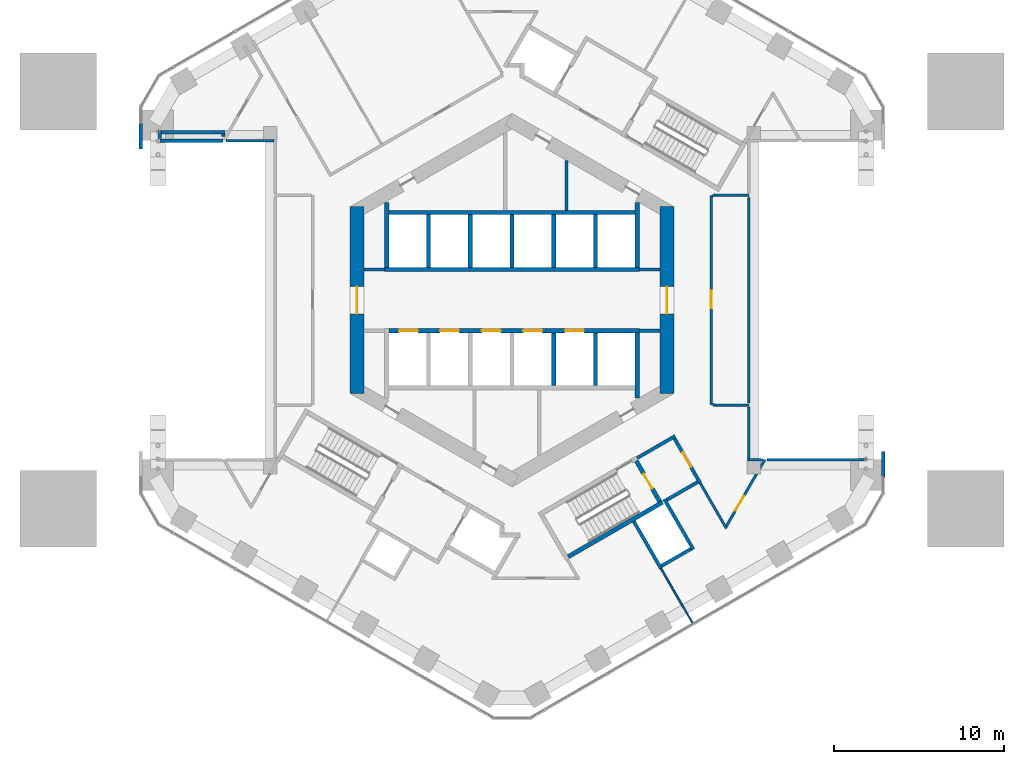
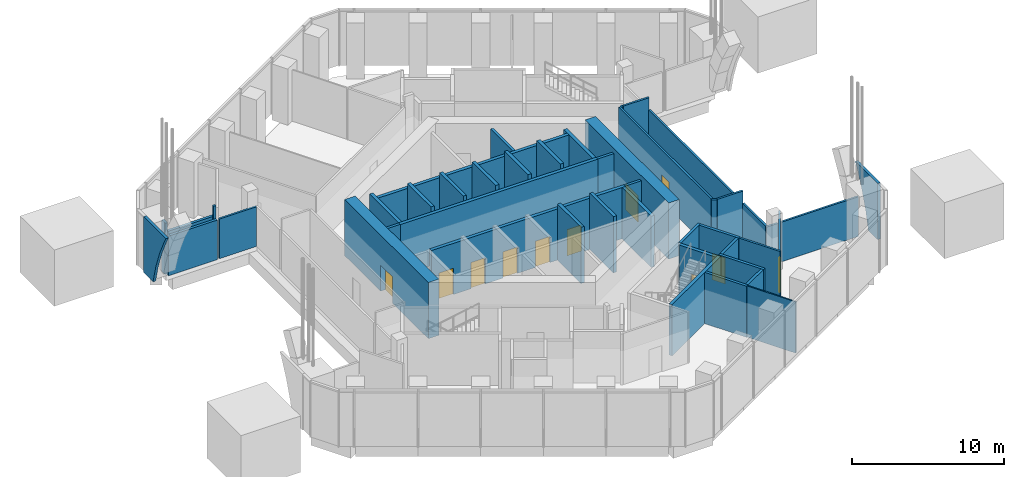
# One storey, part 10 of 14: 46 walls, 11 doors, 11 openings.
"""IFC4 building model written with IfcOpenShell, lengths in metres."""

from ifc_helpers import new_model, si_unit, direction, frame, frame_2d, origin, place, context, subcontext, project, spatial, polyline, rectangle, outline, extrude, material, layer, layer_set, type_object, element, fill, save


model = new_model("IFC4")

# Units and contexts
model_context = context("Model", 3, precision=1e-05, world=origin(), true_north=direction((0.0, 1.0)))
body_context = subcontext(model_context, "Body", "Model", "MODEL_VIEW")
ifc_project = project(units=[si_unit("LENGTHUNIT", "METRE"), si_unit("AREAUNIT", "SQUARE_METRE"), si_unit("VOLUMEUNIT", "CUBIC_METRE"), si_unit("PLANEANGLEUNIT", "RADIAN"), si_unit("MASSUNIT", "GRAM", prefix="KILO")], contexts=[model_context])

# Site, building, storey
site_placement = place(None, origin())
site = spatial("IfcSite", under=ifc_project, at=site_placement, CompositionType="ELEMENT")
building_placement = place(site_placement, origin())
building = spatial("IfcBuilding", under=site, at=building_placement, Name="Ayvan Gate Tower", CompositionType="ELEMENT")
storey_placement = place(building_placement, frame((0.0, 0.0, 7.0)))
storey = spatial("IfcBuildingStorey", under=building, at=storey_placement, Name="L01", CompositionType="ELEMENT", Elevation=7.0)

# Walls
ifc_material_1 = material(Name="Pale metal cladding on insulated wall")
ifc_layer_1 = layer(ifc_material_1, 0.199951171875)
ifc_layer_set_1 = layer_set([ifc_layer_1], Name="Pale metal cladding on insulated wall")
wall_type_1 = type_object("IfcWallType", Name="Arch tympanum wall 200", PredefinedType="SOLIDWALL", material=ifc_layer_set_1)
for number, where, z_axis, x_axis, name in (
    (1, (-21.6845703125, 10.399658203125, 4.5), (1.0, 0.0, 0.0), (0.0, -1.0, 0.0), "Arch tympanum wall L01 face 3"),
    (2, (21.6845703125, -10.399658203125, 4.5), (-1.0, 0.0, 0.0), (0.0, 1.0, 0.0), "Arch tympanum wall L01 face 0"),
):
    element("IfcWall", number, at=place(storey_placement, frame(where, z_axis=z_axis, x_axis=x_axis)), inside=storey, type_object=wall_type_1, Name=name, PredefinedType="SOLIDWALL", context=body_context, shape_type="SweptSolid", body=[
        extrude(outline(polyline([(0.0, 0.0), (2.933837890625, 0.0), (2.737060546875, 0.32421875), (2.091552734375, 1.6728515625), (1.582763671875, 3.078857421875), (1.222900390625, 4.5), (0.0, 4.5), (0.0, 0.0)])), origin(), (0.0, 0.0, -1.0), 0.199951171875),
    ])

# Wall, opening, door
ifc_material_2 = material(Name="Concrete C70/85", Category="concrete")
ifc_layer_2 = layer(ifc_material_2, 0.800048828125)
ifc_layer_set_2 = layer_set([ifc_layer_2], Name="Concrete C70/85")
wall_type_2 = type_object("IfcWallType", Name="Core wall 800 C70/85", PredefinedType="SHEAR", material=ifc_layer_set_2)
wall_1_placement = place(storey_placement, frame((9.10009765625, -5.48486328125, 0.0), z_axis=(0.0, 0.0, 1.0), x_axis=(0.0, 1.0, 0.0)))
wall_1 = element("IfcWall", 3, at=wall_1_placement, inside=storey, type_object=wall_type_2, Name="CORE-L01-0", PredefinedType="SHEAR", context=body_context, shape_type="SweptSolid", body=[
    extrude(rectangle(XDim=10.9697265625, YDim=0.800048828125, at=frame_2d((5.48486328125, 0.0))), origin(), (0.0, 0.0, 1.0), 4.5),
])
opening_1_placement = place(wall_1_placement, frame((4.684814453125, 0.0, 0.0)))
opening_1 = element("IfcOpeningElement", 4, at=opening_1_placement, cuts=wall_1, Name="Opening L01-D33", PredefinedType="OPENING", context=body_context, shape_type="SweptSolid", body=[
    extrude(rectangle(XDim=1.60009765625, YDim=2.10009765625, at=frame_2d((0.800048828125, 1.050048828125))), frame((0.0, 0.409912109375, 0.0), z_axis=(0.0, -1.0, 0.0), x_axis=(1.0, 0.0, 0.0)), (0.0, 0.0, 1.0), 0.820068359375),
])
ifc_material_3 = material(Name="Timber door leaf", Category="wood")
door_type_1 = type_object("IfcDoorType", Name="DT-1600", OperationType="NOTDEFINED", PredefinedType="DOOR", material=ifc_material_3)
door_1_placement = place(opening_1_placement, origin())
door_1 = element("IfcDoor", 5, at=door_1_placement, inside=storey, type_object=door_type_1, Name="CD-L01-33", OperationType="SINGLE_SWING_RIGHT", OverallHeight=2.10009765625, OverallWidth=1.60009765625, PredefinedType="DOOR", context=body_context, shape_type="SweptSolid", body=[
    extrude(rectangle(XDim=1.60009765625, YDim=2.10009765625, at=frame_2d((0.800048828125, 1.050048828125))), frame((0.0, 0.02490234375, 0.0), z_axis=(0.0, -1.0, 0.0), x_axis=(1.0, 0.0, 0.0)), (0.0, 0.0, 1.0), 0.050048828125),
])
fill(opening_1, door_1)

wall_2_placement = place(storey_placement, frame((-9.10009765625, 5.48486328125, 0.0), z_axis=(0.0, 0.0, 1.0), x_axis=(0.0, -1.0, 0.0)))
wall_2 = element("IfcWall", 6, at=wall_2_placement, inside=storey, type_object=wall_type_2, Name="CORE-L01-3", PredefinedType="SHEAR", context=body_context, shape_type="SweptSolid", body=[
    extrude(rectangle(XDim=10.9697265625, YDim=0.800048828125, at=frame_2d((5.48486328125, 0.0))), origin(), (0.0, 0.0, 1.0), 4.5),
])
opening_2_placement = place(wall_2_placement, frame((4.684814453125, 0.0, 0.0)))
opening_2 = element("IfcOpeningElement", 7, at=opening_2_placement, cuts=wall_2, Name="Opening L01-D34", PredefinedType="OPENING", context=body_context, shape_type="SweptSolid", body=[
    extrude(rectangle(XDim=1.60009765625, YDim=2.10009765625, at=frame_2d((0.800048828125, 1.050048828125))), frame((0.0, 0.409912109375, 0.0), z_axis=(0.0, -1.0, 0.0), x_axis=(1.0, 0.0, 0.0)), (0.0, 0.0, 1.0), 0.820068359375),
])
door_2_placement = place(opening_2_placement, origin())
door_2 = element("IfcDoor", 8, at=door_2_placement, inside=storey, type_object=door_type_1, Name="CD-L01-34", OperationType="SINGLE_SWING_LEFT", OverallHeight=2.10009765625, OverallWidth=1.60009765625, PredefinedType="DOOR", context=body_context, shape_type="SweptSolid", body=[
    extrude(rectangle(XDim=1.60009765625, YDim=2.10009765625, at=frame_2d((0.800048828125, 1.050048828125))), frame((0.0, 0.02490234375, 0.0), z_axis=(0.0, -1.0, 0.0), x_axis=(1.0, 0.0, 0.0)), (0.0, 0.0, 1.0), 0.050048828125),
])
fill(opening_2, door_2)

# Walls
ifc_material_4 = material(Name="Plasterboard on steel stud", Category="steel")
ifc_layer_3 = layer(ifc_material_4, 0.14990234375)
ifc_layer_set_3 = layer_set([ifc_layer_3], Name="Plasterboard on steel stud")
wall_type_3 = type_object("IfcWallType", Name="WT-CORR-150", PredefinedType="PARTITIONING", material=ifc_layer_set_3)
wall_3_placement = place(storey_placement, frame((-13.97509765625, 9.367919921875, 0.0), z_axis=(0.0, 0.0, 1.0), x_axis=(-1.0, 0.0, 0.0)))
element("IfcWall", 9, at=wall_3_placement, inside=storey, type_object=wall_type_3, Name="IW-L01-014", PredefinedType="PARTITIONING", context=body_context, shape_type="SweptSolid", body=[
    extrude(rectangle(XDim=2.804931640625, YDim=0.14990234375, at=frame_2d((1.40234375, 0.0))), origin(), (0.0, 0.0, 1.0), 3.175048828125),
])
wall_4_placement = place(storey_placement, frame((11.635009765625, -6.024658203125, 0.0), z_axis=(0.0, 0.0, 1.0), x_axis=(0.866115353951, -0.499844169366, 0.0)))
element("IfcWall", 10, at=wall_4_placement, inside=storey, type_object=wall_type_3, Name="IW-L01-101", PredefinedType="PARTITIONING", context=body_context, shape_type="SweptSolid", body=[
    extrude(rectangle(XDim=0.34716796875, YDim=0.14990234375, at=frame_2d((0.173583984375, 0.0))), origin(), (0.0, 0.0, 1.0), 4.10009765625),
])

# Wall, opening, door
wall_5_placement = place(storey_placement, frame((11.699951171875, 6.13720703125, 0.0), z_axis=(0.0, 0.0, 1.0), x_axis=(0.0, -1.0, 0.0)))
wall_5 = element("IfcWall", 11, at=wall_5_placement, inside=storey, type_object=wall_type_3, Name="IW-L01-102", PredefinedType="PARTITIONING", context=body_context, shape_type="SweptSolid", body=[
    extrude(rectangle(XDim=12.12451171875, YDim=0.14990234375, at=frame_2d((6.062255859375, 0.0))), origin(), (0.0, 0.0, 1.0), 4.10009765625),
])
opening_3_placement = place(wall_5_placement, frame((5.599609375, 0.0, 0.0)))
opening_3 = element("IfcOpeningElement", 12, at=opening_3_placement, cuts=wall_5, Name="Opening L01-D25", PredefinedType="OPENING", context=body_context, shape_type="SweptSolid", body=[
    extrude(rectangle(XDim=1.0, YDim=2.10009765625, at=frame_2d((0.5, 1.050048828125))), frame((0.0, 0.0849609375, 0.0), z_axis=(0.0, -1.0, 0.0), x_axis=(1.0, 0.0, 0.0)), (0.0, 0.0, 1.0), 0.169921875),
])
door_type_2 = type_object("IfcDoorType", Name="DT-1000", OperationType="NOTDEFINED", PredefinedType="DOOR", material=ifc_material_3)
door_3_placement = place(opening_3_placement, origin())
door_3 = element("IfcDoor", 13, at=door_3_placement, inside=storey, type_object=door_type_2, Name="ID-L01-025", OperationType="SINGLE_SWING_RIGHT", OverallHeight=2.10009765625, OverallWidth=1.0, PredefinedType="DOOR", context=body_context, shape_type="SweptSolid", body=[
    extrude(rectangle(XDim=1.0, YDim=2.10009765625, at=frame_2d((0.5, 1.050048828125))), frame((0.0, 0.02490234375, 0.0), z_axis=(0.0, -1.0, 0.0), x_axis=(1.0, 0.0, 0.0)), (0.0, 0.0, 1.0), 0.050048828125),
])
fill(opening_3, door_3)

# Walls
wall_6_placement = place(storey_placement, frame((11.94580078125, -6.160888671875, 0.0), z_axis=(0.0, 0.0, 1.0), x_axis=(1.0, 0.0, 0.0)))
element("IfcWall", 14, at=wall_6_placement, inside=storey, type_object=wall_type_3, Name="IW-L01-103", PredefinedType="PARTITIONING", context=body_context, shape_type="SweptSolid", body=[
    extrude(rectangle(XDim=1.9541015625, YDim=0.14990234375, at=frame_2d((0.97705078125, 0.0))), origin(), (0.0, 0.0, 1.0), 4.10009765625),
])
wall_7_placement = place(storey_placement, frame((11.935791015625, 6.1982421875, 0.0), z_axis=(0.0, 0.0, 1.0), x_axis=(-0.866103179807, -0.499865263774, 0.0)))
element("IfcWall", 15, at=wall_7_placement, inside=storey, type_object=wall_type_3, Name="IW-L01-104", PredefinedType="PARTITIONING", context=body_context, shape_type="SweptSolid", body=[
    extrude(rectangle(XDim=0.197265625, YDim=0.14990234375, at=frame_2d((0.0986328125, 0.0))), origin(), (0.0, 0.0, 1.0), 4.10009765625),
])
wall_8_placement = place(storey_placement, frame((12.586669921875, -13.40087890625, 0.0), z_axis=(0.0, 0.0, 1.0), x_axis=(-0.499952049853, 0.866053086045, 0.0)))
element("IfcWall", 16, at=wall_8_placement, inside=storey, type_object=wall_type_3, Name="IW-L01-106", PredefinedType="PARTITIONING", context=body_context, shape_type="SweptSolid", body=[
    extrude(rectangle(XDim=3.098876953125, YDim=0.14990234375, at=frame_2d((1.54931640625, 0.0))), origin(), (0.0, 0.0, 1.0), 4.10009765625),
])
wall_9_placement = place(storey_placement, frame((13.824951171875, -9.367919921875, 0.0), z_axis=(0.0, 0.0, 1.0), x_axis=(1.0, 0.0, 0.0)))
element("IfcWall", 17, at=wall_9_placement, inside=storey, type_object=wall_type_3, Name="IW-L01-109", PredefinedType="PARTITIONING", context=body_context, shape_type="SweptSolid", body=[
    extrude(rectangle(XDim=0.876708984375, YDim=0.14990234375, at=frame_2d((0.4384765625, 0.0))), origin(), (0.0, 0.0, 1.0), 3.175048828125),
])
wall_10_placement = place(storey_placement, frame((13.89990234375, -6.28076171875, 0.0), z_axis=(0.0, 0.0, 1.0), x_axis=(0.0, -1.0, 0.0)))
element("IfcWall", 18, at=wall_10_placement, inside=storey, type_object=wall_type_3, Name="IW-L01-110", PredefinedType="PARTITIONING", context=body_context, shape_type="SweptSolid", body=[
    extrude(rectangle(XDim=3.01220703125, YDim=0.14990234375, at=frame_2d((1.506103515625, 0.0))), origin(), (0.0, 0.0, 1.0), 3.175048828125),
])
wall_11_placement = place(storey_placement, frame((13.89990234375, 6.040771484375, 0.0), z_axis=(0.0, 0.0, 1.0), x_axis=(0.0, -1.0, 0.0)))
element("IfcWall", 19, at=wall_11_placement, inside=storey, type_object=wall_type_3, Name="IW-L01-111", PredefinedType="PARTITIONING", context=body_context, shape_type="SweptSolid", body=[
    extrude(rectangle(XDim=12.08154296875, YDim=0.14990234375, at=frame_2d((6.040771484375, 0.0))), origin(), (0.0, 0.0, 1.0), 3.175048828125),
])
wall_12_placement = place(storey_placement, frame((13.89990234375, 6.160888671875, 0.0), z_axis=(0.0, 0.0, 1.0), x_axis=(-1.0, 0.0, 0.0)))
element("IfcWall", 20, at=wall_12_placement, inside=storey, type_object=wall_type_3, Name="IW-L01-112", PredefinedType="PARTITIONING", context=body_context, shape_type="SweptSolid", body=[
    extrude(rectangle(XDim=1.9541015625, YDim=0.14990234375, at=frame_2d((0.97705078125, 0.0))), origin(), (0.0, 0.0, 1.0), 4.10009765625),
])

# Wall, opening, door
wall_13_placement = place(storey_placement, frame((14.840087890625, -9.367919921875, 0.0), z_axis=(0.0, 0.0, 1.0), x_axis=(-0.49999598783, -0.866027720199, 0.0)))
wall_13 = element("IfcWall", 21, at=wall_13_placement, inside=storey, type_object=wall_type_3, Name="IW-L01-114", PredefinedType="PARTITIONING", context=body_context, shape_type="SweptSolid", body=[
    extrude(rectangle(XDim=4.5068359375, YDim=0.14990234375, at=frame_2d((2.25341796875, 0.0))), origin(), (0.0, 0.0, 1.0), 4.10009765625),
])
opening_4_placement = place(wall_13_placement, frame((2.453369140625, 0.0, 0.0)))
opening_4 = element("IfcOpeningElement", 22, at=opening_4_placement, cuts=wall_13, Name="Opening L01-D22", PredefinedType="OPENING", context=body_context, shape_type="SweptSolid", body=[
    extrude(rectangle(XDim=1.0, YDim=2.10009765625, at=frame_2d((0.5, 1.050048828125))), frame((0.0, 0.0849609375, 0.0), z_axis=(0.0, -1.0, 0.0), x_axis=(1.0, 0.0, 0.0)), (0.0, 0.0, 1.0), 0.169921875),
])
door_4_placement = place(opening_4_placement, origin())
door_4 = element("IfcDoor", 23, at=door_4_placement, inside=storey, type_object=door_type_2, Name="ID-L01-022", OperationType="SINGLE_SWING_LEFT", OverallHeight=2.10009765625, OverallWidth=1.0, PredefinedType="DOOR", context=body_context, shape_type="SweptSolid", body=[
    extrude(rectangle(XDim=1.0, YDim=2.10009765625, at=frame_2d((0.5, 1.050048828125))), frame((0.0, 0.02490234375, 0.0), z_axis=(0.0, -1.0, 0.0), x_axis=(1.0, 0.0, 0.0)), (0.0, 0.0, 1.0), 0.050048828125),
])
fill(opening_4, door_4)

# Walls
wall_14_placement = place(storey_placement, frame((14.9599609375, -9.367919921875, 0.0), z_axis=(0.0, 0.0, 1.0), x_axis=(1.0, 0.0, 0.0)))
element("IfcWall", 24, at=wall_14_placement, inside=storey, type_object=wall_type_3, Name="IW-L01-115", PredefinedType="PARTITIONING", context=body_context, shape_type="SweptSolid", body=[
    extrude(rectangle(XDim=5.82470703125, YDim=0.14990234375, at=frame_2d((2.912353515625, 0.0))), origin(), (0.0, 0.0, 1.0), 3.175048828125),
])
ifc_layer_4 = layer(ifc_material_4, 0.10009765625)
ifc_layer_set_4 = layer_set([ifc_layer_4], Name="Plasterboard on steel stud")
wall_type_4 = type_object("IfcWallType", Name="WT-PART-100", PredefinedType="PARTITIONING", material=ifc_layer_set_4)
wall_15_placement = place(storey_placement, frame((8.739990234375, -15.73828125, 0.0), z_axis=(0.0, 0.0, 1.0), x_axis=(0.500026738915, -0.866009965514, 0.0)))
element("IfcWall", 25, at=wall_15_placement, inside=storey, type_object=wall_type_4, Name="IW-L01-092", PredefinedType="PARTITIONING", context=body_context, shape_type="SweptSolid", body=[
    extrude(rectangle(XDim=3.680908203125, YDim=0.10009765625, at=frame_2d((1.84033203125, 0.0))), origin(), (0.0, 0.0, 1.0), 4.10009765625),
])
ifc_layer_5 = layer(ifc_material_4, 0.199951171875)
ifc_layer_set_5 = layer_set([ifc_layer_5], Name="Plasterboard on steel stud")
wall_type_5 = type_object("IfcWallType", Name="WT-PLUMB-200", PredefinedType="PLUMBINGWALL", material=ifc_layer_set_5)
wall_16_placement = place(storey_placement, frame((-20.6845703125, 9.5029296875, 0.0), z_axis=(0.0, 0.0, 1.0), x_axis=(0.0, 1.0, 0.0)))
element("IfcWall", 26, at=wall_16_placement, inside=storey, type_object=wall_type_5, Name="IW-L01-001", PredefinedType="PLUMBINGWALL", context=body_context, shape_type="SweptSolid", body=[
    extrude(rectangle(XDim=0.465087890625, YDim=0.199951171875, at=frame_2d((0.232421875, 0.0))), origin(), (0.0, 0.0, 1.0), 4.10009765625),
])
wall_17_placement = place(storey_placement, frame((-20.584716796875, 9.867919921875, 0.0), z_axis=(0.0, 0.0, 1.0), x_axis=(1.0, 0.0, 0.0)))
element("IfcWall", 27, at=wall_17_placement, inside=storey, type_object=wall_type_5, Name="IW-L01-002", PredefinedType="PLUMBINGWALL", context=body_context, shape_type="SweptSolid", body=[
    extrude(rectangle(XDim=3.736083984375, YDim=0.199951171875, at=frame_2d((1.8681640625, 0.0))), origin(), (0.0, 0.0, 1.0), 3.175048828125),
])
wall_18_placement = place(storey_placement, frame((-16.968505859375, 9.367919921875, 0.0), z_axis=(0.0, 0.0, 1.0), x_axis=(-1.0, 0.0, 0.0)))
element("IfcWall", 28, at=wall_18_placement, inside=storey, type_object=wall_type_5, Name="IW-L01-003", PredefinedType="PLUMBINGWALL", context=body_context, shape_type="SweptSolid", body=[
    extrude(rectangle(XDim=3.696044921875, YDim=0.199951171875, at=frame_2d((1.84814453125, 0.0))), origin(), (0.0, 0.0, 1.0), 3.175048828125),
])
wall_19_placement = place(storey_placement, frame((-16.948486328125, 9.767822265625, 0.0), z_axis=(0.0, 0.0, 1.0), x_axis=(0.0, -1.0, 0.0)))
element("IfcWall", 29, at=wall_19_placement, inside=storey, type_object=wall_type_5, Name="IW-L01-004", PredefinedType="PLUMBINGWALL", context=body_context, shape_type="SweptSolid", body=[
    extrude(rectangle(XDim=0.159912109375, YDim=0.199951171875, at=frame_2d((0.080078125, 0.0))), origin(), (0.0, 0.0, 1.0), 4.10009765625),
])
wall_20_placement = place(storey_placement, frame((8.740234375, -15.738525390625, 0.0), z_axis=(0.0, 0.0, 1.0), x_axis=(-0.500017526161, 0.866015284814, 0.0)))
element("IfcWall", 30, at=wall_20_placement, inside=storey, type_object=wall_type_5, Name="IW-L01-093", PredefinedType="PLUMBINGWALL", context=body_context, shape_type="SweptSolid", body=[
    extrude(rectangle(XDim=3.17529296875, YDim=0.199951171875, at=frame_2d((1.587646484375, 0.0))), origin(), (0.0, 0.0, 1.0), 4.10009765625),
])
wall_21_placement = place(storey_placement, frame((8.9453125, -11.694091796875, 0.0), z_axis=(0.0, 0.0, 1.0), x_axis=(0.500062241894, -0.865989465428, 0.0)))
element("IfcWall", 31, at=wall_21_placement, inside=storey, type_object=wall_type_5, Name="IW-L01-095", PredefinedType="PLUMBINGWALL", context=body_context, shape_type="SweptSolid", body=[
    extrude(rectangle(XDim=3.39990234375, YDim=0.199951171875, at=frame_2d((1.699951171875, 0.0))), origin(), (0.0, 0.0, 1.0), 4.10009765625),
])
wall_22_placement = place(storey_placement, frame((10.5087890625, -14.601806640625, 0.0), z_axis=(0.0, 0.0, 1.0), x_axis=(-0.866010750942, -0.50002537861, 0.0)))
element("IfcWall", 32, at=wall_22_placement, inside=storey, type_object=wall_type_5, Name="IW-L01-099", PredefinedType="PLUMBINGWALL", context=body_context, shape_type="SweptSolid", body=[
    extrude(rectangle(XDim=2.0, YDim=0.199951171875, at=frame_2d((1.0, 0.0))), origin(), (0.0, 0.0, 1.0), 4.10009765625),
])
ifc_layer_6 = layer(ifc_material_4, 0.199951171875)
ifc_layer_set_6 = layer_set([ifc_layer_6], Name="Plasterboard on steel stud")
wall_type_6 = type_object("IfcWallType", Name="WT-RATED-200", PredefinedType="PARTITIONING", material=ifc_layer_set_6)
wall_23_placement = place(storey_placement, frame((-8.699951171875, 1.800048828125, 0.0), z_axis=(0.0, 0.0, 1.0), x_axis=(1.0, 0.0, 0.0)))
element("IfcWall", 33, at=wall_23_placement, inside=storey, type_object=wall_type_6, Name="IW-L01-025", PredefinedType="PARTITIONING", context=body_context, shape_type="SweptSolid", body=[
    extrude(rectangle(XDim=1.22509765625, YDim=0.199951171875, at=frame_2d((0.612548828125, 0.0))), origin(), (0.0, 0.0, 1.0), 4.10009765625),
])
wall_24_placement = place(storey_placement, frame((3.199951171875, 8.198486328125, 0.0), z_axis=(0.0, 0.0, 1.0), x_axis=(0.0, -1.0, 0.0)))
element("IfcWall", 34, at=wall_24_placement, inside=storey, type_object=wall_type_6, Name="IW-L01-076", PredefinedType="PARTITIONING", context=body_context, shape_type="SweptSolid", body=[
    extrude(rectangle(XDim=2.923583984375, YDim=0.199951171875, at=frame_2d((1.4619140625, 0.0))), origin(), (0.0, 0.0, 1.0), 4.10009765625),
])
wall_25_placement = place(storey_placement, frame((7.343994140625, -9.27001953125, 0.0), z_axis=(0.0, 0.0, 1.0), x_axis=(0.866005588531, 0.500034319456, 0.0)))
element("IfcWall", 35, at=wall_25_placement, inside=storey, type_object=wall_type_6, Name="IW-L01-086", PredefinedType="PARTITIONING", context=body_context, shape_type="SweptSolid", body=[
    extrude(rectangle(XDim=2.574951171875, YDim=0.199951171875, at=frame_2d((1.28759765625, 0.0))), origin(), (0.0, 0.0, 1.0), 4.10009765625),
])
for number, where, z_axis, x_axis, name in (
    (36, (7.474853515625, 1.800048828125, 0.0), (0.0, 0.0, 1.0), (1.0, 0.0, 0.0), "IW-L01-087"),
    (37, (8.699951171875, -1.800048828125, 0.0), (0.0, 0.0, 1.0), (-1.0, 0.0, 0.0), "IW-L01-094"),
):
    element("IfcWall", number, at=place(storey_placement, frame(where, z_axis=z_axis, x_axis=x_axis)), inside=storey, type_object=wall_type_6, Name=name, PredefinedType="PARTITIONING", context=body_context, shape_type="SweptSolid", body=[
        extrude(rectangle(XDim=1.22509765625, YDim=0.199951171875, at=frame_2d((0.612548828125, 0.0))), origin(), (0.0, 0.0, 1.0), 4.10009765625),
    ])

# Wall, opening, door
wall_26_placement = place(storey_placement, frame((9.537353515625, -8.119140625, 0.0), z_axis=(0.0, 0.0, 1.0), x_axis=(0.499990139034, -0.866031096941, 0.0)))
wall_26 = element("IfcWall", 38, at=wall_26_placement, inside=storey, type_object=wall_type_6, Name="IW-L01-097", PredefinedType="PARTITIONING", context=body_context, shape_type="SweptSolid", body=[
    extrude(rectangle(XDim=3.0, YDim=0.199951171875, at=frame_2d((1.5, 0.0))), origin(), (0.0, 0.0, 1.0), 4.10009765625),
])
opening_5_placement = place(wall_26_placement, frame((0.93505859375, 0.0, 0.0)))
opening_5 = element("IfcOpeningElement", 39, at=opening_5_placement, cuts=wall_26, Name="Opening L01-D15", PredefinedType="OPENING", context=body_context, shape_type="SweptSolid", body=[
    extrude(rectangle(XDim=1.0, YDim=2.10009765625, at=frame_2d((0.5, 1.050048828125))), frame((0.0, 0.10986328125, 0.0), z_axis=(0.0, -1.0, 0.0), x_axis=(1.0, 0.0, 0.0)), (0.0, 0.0, 1.0), 0.219970703125),
])
door_5_placement = place(opening_5_placement, origin())
door_5 = element("IfcDoor", 40, at=door_5_placement, inside=storey, type_object=door_type_2, Name="ID-L01-015", OperationType="SINGLE_SWING_RIGHT", OverallHeight=2.10009765625, OverallWidth=1.0, PredefinedType="DOOR", context=body_context, shape_type="SweptSolid", body=[
    extrude(rectangle(XDim=1.0, YDim=2.10009765625, at=frame_2d((0.5, 1.050048828125))), frame((0.0, 0.02490234375, 0.0), z_axis=(0.0, -1.0, 0.0), x_axis=(1.0, 0.0, 0.0)), (0.0, 0.0, 1.0), 0.050048828125),
])
fill(opening_5, door_5)

# Walls
wall_27_placement = place(storey_placement, frame((10.900634765625, -10.6806640625, 0.0), z_axis=(0.0, 0.0, 1.0), x_axis=(-0.866009402589, -0.500027713859, 0.0)))
element("IfcWall", 41, at=wall_27_placement, inside=storey, type_object=wall_type_6, Name="IW-L01-100", PredefinedType="PARTITIONING", context=body_context, shape_type="SweptSolid", body=[
    extrude(rectangle(XDim=2.10009765625, YDim=0.199951171875, at=frame_2d((1.050048828125, 0.0))), origin(), (0.0, 0.0, 1.0), 4.10009765625),
])
ifc_material_5 = material(Name="Concrete C50/60", Category="concrete")
ifc_layer_7 = layer(ifc_material_5, 0.25)
ifc_layer_set_7 = layer_set([ifc_layer_7], Name="Concrete C50/60")
wall_type_7 = type_object("IfcWallType", Name="WT-RC-250", PredefinedType="SHEAR", material=ifc_layer_set_7)
wall_28_placement = place(storey_placement, frame((-7.47509765625, 1.800048828125, 0.0), z_axis=(0.0, 0.0, 1.0), x_axis=(1.0, 0.0, 0.0)))
element("IfcWall", 42, at=wall_28_placement, inside=storey, type_object=wall_type_7, Name="IW-L01-030", PredefinedType="SHEAR", context=body_context, shape_type="SweptSolid", body=[
    extrude(rectangle(XDim=14.9501953125, YDim=0.25, at=frame_2d((7.47509765625, 0.0))), origin(), (0.0, 0.0, 1.0), 4.10009765625),
])
wall_29_placement = place(storey_placement, frame((-7.35009765625, 1.925048828125, 0.0), z_axis=(0.0, 0.0, 1.0), x_axis=(0.0, 1.0, 0.0)))
element("IfcWall", 43, at=wall_29_placement, inside=storey, type_object=wall_type_7, Name="IW-L01-032", PredefinedType="SHEAR", context=body_context, shape_type="SweptSolid", body=[
    extrude(rectangle(XDim=3.80517578125, YDim=0.25, at=frame_2d((1.902587890625, 0.0))), origin(), (0.0, 0.0, 1.0), 4.10009765625),
])
wall_30_placement = place(storey_placement, frame((-7.22509765625, 5.14990234375, 0.0), z_axis=(0.0, 0.0, 1.0), x_axis=(1.0, 0.0, 0.0)))
element("IfcWall", 44, at=wall_30_placement, inside=storey, type_object=wall_type_7, Name="IW-L01-033", PredefinedType="SHEAR", context=body_context, shape_type="SweptSolid", body=[
    extrude(rectangle(XDim=14.7001953125, YDim=0.25, at=frame_2d((7.35009765625, 0.0))), origin(), (0.0, 0.0, 1.0), 4.10009765625),
])
wall_31_placement = place(storey_placement, frame((-4.89990234375, 5.02490234375, 0.0), z_axis=(0.0, 0.0, 1.0), x_axis=(0.0, -1.0, 0.0)))
element("IfcWall", 45, at=wall_31_placement, inside=storey, type_object=wall_type_7, Name="IW-L01-043", PredefinedType="SHEAR", context=body_context, shape_type="SweptSolid", body=[
    extrude(rectangle(XDim=3.099853515625, YDim=0.25, at=frame_2d((1.5498046875, 0.0))), origin(), (0.0, 0.0, 1.0), 4.5),
])

# Wall, openings, doors
wall_32_placement = place(storey_placement, frame((-7.22509765625, -1.800048828125, 0.0), z_axis=(0.0, 0.0, 1.0), x_axis=(1.0, 0.0, 0.0)))
wall_32 = element("IfcWall", 46, at=wall_32_placement, inside=storey, type_object=wall_type_7, Name="IW-L01-044", PredefinedType="SHEAR", context=body_context, shape_type="SweptSolid", body=[
    extrude(rectangle(XDim=14.7001953125, YDim=0.25, at=frame_2d((7.35009765625, 0.0))), origin(), (0.0, 0.0, 1.0), 4.10009765625),
])
opening_6_placement = place(wall_32_placement, frame((0.597412109375, 0.0, 0.0)))
opening_6 = element("IfcOpeningElement", 47, at=opening_6_placement, cuts=wall_32, Name="Opening L01-LD-LR1", PredefinedType="OPENING", context=body_context, shape_type="SweptSolid", body=[
    extrude(rectangle(XDim=1.10009765625, YDim=2.10009765625, at=frame_2d((0.550048828125, 1.050048828125))), frame((0.0, 0.135009765625, 0.0), z_axis=(0.0, -1.0, 0.0), x_axis=(1.0, 0.0, 0.0)), (0.0, 0.0, 1.0), 0.27001953125),
])
opening_7_placement = place(wall_32_placement, frame((3.0, 0.0, 0.0)))
opening_7 = element("IfcOpeningElement", 48, at=opening_7_placement, cuts=wall_32, Name="Opening L01-LD-LR2", PredefinedType="OPENING", context=body_context, shape_type="SweptSolid", body=[
    extrude(rectangle(XDim=1.10009765625, YDim=2.10009765625, at=frame_2d((0.550048828125, 1.050048828125))), frame((0.0, 0.135009765625, 0.0), z_axis=(0.0, -1.0, 0.0), x_axis=(1.0, 0.0, 0.0)), (0.0, 0.0, 1.0), 0.27001953125),
])
opening_8_placement = place(wall_32_placement, frame((5.4501953125, 0.0, 0.0)))
opening_8 = element("IfcOpeningElement", 49, at=opening_8_placement, cuts=wall_32, Name="Opening L01-LD-LR3", PredefinedType="OPENING", context=body_context, shape_type="SweptSolid", body=[
    extrude(rectangle(XDim=1.10009765625, YDim=2.10009765625, at=frame_2d((0.550048828125, 1.050048828125))), frame((0.0, 0.135009765625, 0.0), z_axis=(0.0, -1.0, 0.0), x_axis=(1.0, 0.0, 0.0)), (0.0, 0.0, 1.0), 0.27001953125),
])
opening_9_placement = place(wall_32_placement, frame((7.900146484375, 0.0, 0.0)))
opening_9 = element("IfcOpeningElement", 50, at=opening_9_placement, cuts=wall_32, Name="Opening L01-LD-LR4", PredefinedType="OPENING", context=body_context, shape_type="SweptSolid", body=[
    extrude(rectangle(XDim=1.10009765625, YDim=2.10009765625, at=frame_2d((0.550048828125, 1.050048828125))), frame((0.0, 0.135009765625, 0.0), z_axis=(0.0, -1.0, 0.0), x_axis=(1.0, 0.0, 0.0)), (0.0, 0.0, 1.0), 0.27001953125),
])
opening_10_placement = place(wall_32_placement, frame((10.35009765625, 0.0, 0.0)))
opening_10 = element("IfcOpeningElement", 51, at=opening_10_placement, cuts=wall_32, Name="Opening L01-LD-SV", PredefinedType="OPENING", context=body_context, shape_type="SweptSolid", body=[
    extrude(rectangle(XDim=1.10009765625, YDim=2.10009765625, at=frame_2d((0.550048828125, 1.050048828125))), frame((0.0, 0.135009765625, 0.0), z_axis=(0.0, -1.0, 0.0), x_axis=(1.0, 0.0, 0.0)), (0.0, 0.0, 1.0), 0.27001953125),
])
ifc_material_6 = material(Name="Stainless steel landing door", Category="steel")
door_type_3 = type_object("IfcDoorType", Name="DT-LANDING-1100", OperationType="SLIDING_TO_LEFT", PredefinedType="DOOR", material=ifc_material_6)
door_6_placement = place(opening_6_placement, origin())
door_6 = element("IfcDoor", 52, at=door_6_placement, inside=storey, type_object=door_type_3, Name="ID-L01-001", OperationType="SLIDING_TO_LEFT", OverallHeight=2.10009765625, OverallWidth=1.10009765625, PredefinedType="DOOR", context=body_context, shape_type="SweptSolid", body=[
    extrude(rectangle(XDim=1.10009765625, YDim=2.10009765625, at=frame_2d((0.550048828125, 1.050048828125))), frame((0.0, 0.02490234375, 0.0), z_axis=(0.0, -1.0, 0.0), x_axis=(1.0, 0.0, 0.0)), (0.0, 0.0, 1.0), 0.050048828125),
])
fill(opening_6, door_6)
door_7_placement = place(opening_7_placement, origin())
door_7 = element("IfcDoor", 53, at=door_7_placement, inside=storey, type_object=door_type_3, Name="ID-L01-002", OperationType="SLIDING_TO_LEFT", OverallHeight=2.10009765625, OverallWidth=1.10009765625, PredefinedType="DOOR", context=body_context, shape_type="SweptSolid", body=[
    extrude(rectangle(XDim=1.10009765625, YDim=2.10009765625, at=frame_2d((0.550048828125, 1.050048828125))), frame((0.0, 0.02490234375, 0.0), z_axis=(0.0, -1.0, 0.0), x_axis=(1.0, 0.0, 0.0)), (0.0, 0.0, 1.0), 0.050048828125),
])
fill(opening_7, door_7)
door_8_placement = place(opening_8_placement, origin())
door_8 = element("IfcDoor", 54, at=door_8_placement, inside=storey, type_object=door_type_3, Name="ID-L01-003", OperationType="SLIDING_TO_LEFT", OverallHeight=2.10009765625, OverallWidth=1.10009765625, PredefinedType="DOOR", context=body_context, shape_type="SweptSolid", body=[
    extrude(rectangle(XDim=1.10009765625, YDim=2.10009765625, at=frame_2d((0.550048828125, 1.050048828125))), frame((0.0, 0.02490234375, 0.0), z_axis=(0.0, -1.0, 0.0), x_axis=(1.0, 0.0, 0.0)), (0.0, 0.0, 1.0), 0.050048828125),
])
fill(opening_8, door_8)
door_9_placement = place(opening_9_placement, origin())
door_9 = element("IfcDoor", 55, at=door_9_placement, inside=storey, type_object=door_type_3, Name="ID-L01-004", OperationType="SLIDING_TO_LEFT", OverallHeight=2.10009765625, OverallWidth=1.10009765625, PredefinedType="DOOR", context=body_context, shape_type="SweptSolid", body=[
    extrude(rectangle(XDim=1.10009765625, YDim=2.10009765625, at=frame_2d((0.550048828125, 1.050048828125))), frame((0.0, 0.02490234375, 0.0), z_axis=(0.0, -1.0, 0.0), x_axis=(1.0, 0.0, 0.0)), (0.0, 0.0, 1.0), 0.050048828125),
])
fill(opening_9, door_9)
door_10_placement = place(opening_10_placement, origin())
door_10 = element("IfcDoor", 56, at=door_10_placement, inside=storey, type_object=door_type_3, Name="ID-L01-005", OperationType="SLIDING_TO_LEFT", OverallHeight=2.10009765625, OverallWidth=1.10009765625, PredefinedType="DOOR", context=body_context, shape_type="SweptSolid", body=[
    extrude(rectangle(XDim=1.10009765625, YDim=2.10009765625, at=frame_2d((0.550048828125, 1.050048828125))), frame((0.0, 0.02490234375, 0.0), z_axis=(0.0, -1.0, 0.0), x_axis=(1.0, 0.0, 0.0)), (0.0, 0.0, 1.0), 0.050048828125),
])
fill(opening_10, door_10)

# Walls
for number, where, z_axis, x_axis, name in (
    (57, (-2.449951171875, 5.02490234375, 0.0), (0.0, 0.0, 1.0), (0.0, -1.0, 0.0), "IW-L01-051"),
    (58, (0.0, 5.02490234375, 0.0), (0.0, 0.0, 1.0), (0.0, -1.0, 0.0), "IW-L01-062"),
    (59, (2.449951171875, -1.925048828125, 0.0), (0.0, 0.0, 1.0), (0.0, -1.0, 0.0), "IW-L01-070"),
    (60, (2.449951171875, 5.02490234375, 0.0), (0.0, 0.0, 1.0), (0.0, -1.0, 0.0), "IW-L01-071"),
    (61, (4.89990234375, -1.925048828125, 0.0), (0.0, 0.0, 1.0), (0.0, -1.0, 0.0), "IW-L01-080"),
    (62, (4.89990234375, 5.02490234375, 0.0), (0.0, 0.0, 1.0), (0.0, -1.0, 0.0), "IW-L01-081"),
):
    element("IfcWall", number, at=place(storey_placement, frame(where, z_axis=z_axis, x_axis=x_axis)), inside=storey, type_object=wall_type_7, Name=name, PredefinedType="SHEAR", context=body_context, shape_type="SweptSolid", body=[
        extrude(rectangle(XDim=3.099853515625, YDim=0.25, at=frame_2d((1.5498046875, 0.0))), origin(), (0.0, 0.0, 1.0), 4.5),
    ])
wall_33_placement = place(storey_placement, frame((3.30126953125, -15.068115234375, 0.0), z_axis=(0.0, 0.0, 1.0), x_axis=(0.866035036182, 0.499983315828, 0.0)))
element("IfcWall", 63, at=wall_33_placement, inside=storey, type_object=wall_type_7, Name="IW-L01-084", PredefinedType="SHEAR", context=body_context, shape_type="SweptSolid", body=[
    extrude(rectangle(XDim=6.400146484375, YDim=0.25, at=frame_2d((3.2001953125, 0.0))), origin(), (0.0, 0.0, 1.0), 4.10009765625),
])

# Wall, opening, door
wall_34_placement = place(storey_placement, frame((7.298095703125, -9.44091796875, 0.0), z_axis=(0.0, 0.0, 1.0), x_axis=(0.500034990121, -0.866005201286, 0.0)))
wall_34 = element("IfcWall", 64, at=wall_34_placement, inside=storey, type_object=wall_type_7, Name="IW-L01-085", PredefinedType="SHEAR", context=body_context, shape_type="SweptSolid", body=[
    extrude(rectangle(XDim=2.749755859375, YDim=0.25, at=frame_2d((1.375, 0.0))), origin(), (0.0, 0.0, 1.0), 4.10009765625),
])
opening_11_placement = place(wall_34_placement, frame((0.875, 0.0, 0.0)))
opening_11 = element("IfcOpeningElement", 65, at=opening_11_placement, cuts=wall_34, Name="Opening L01-D16", PredefinedType="OPENING", context=body_context, shape_type="SweptSolid", body=[
    extrude(rectangle(XDim=1.0, YDim=2.10009765625, at=frame_2d((0.5, 1.050048828125))), frame((0.0, 0.135009765625, 0.0), z_axis=(0.0, -1.0, 0.0), x_axis=(1.0, 0.0, 0.0)), (0.0, 0.0, 1.0), 0.27001953125),
])
door_11_placement = place(opening_11_placement, origin())
door_11 = element("IfcDoor", 66, at=door_11_placement, inside=storey, type_object=door_type_2, Name="ID-L01-016", OperationType="SINGLE_SWING_LEFT", OverallHeight=2.10009765625, OverallWidth=1.0, PredefinedType="DOOR", context=body_context, shape_type="SweptSolid", body=[
    extrude(rectangle(XDim=1.0, YDim=2.10009765625, at=frame_2d((0.5, 1.050048828125))), frame((0.0, 0.02490234375, 0.0), z_axis=(0.0, -1.0, 0.0), x_axis=(1.0, 0.0, 0.0)), (0.0, 0.0, 1.0), 0.050048828125),
])
fill(opening_11, door_11)

# Walls
for number, where, z_axis, x_axis, name in (
    (67, (7.35009765625, -1.925048828125, 0.0), (0.0, 0.0, 1.0), (0.0, -1.0, 0.0), "IW-L01-088"),
    (68, (7.35009765625, 5.730224609375, 0.0), (0.0, 0.0, 1.0), (0.0, -1.0, 0.0), "IW-L01-089"),
):
    element("IfcWall", number, at=place(storey_placement, frame(where, z_axis=z_axis, x_axis=x_axis)), inside=storey, type_object=wall_type_7, Name=name, PredefinedType="SHEAR", context=body_context, shape_type="SweptSolid", body=[
        extrude(rectangle(XDim=3.80517578125, YDim=0.25, at=frame_2d((1.902587890625, 0.0))), origin(), (0.0, 0.0, 1.0), 4.10009765625),
    ])

save(model, "model.ifc")
